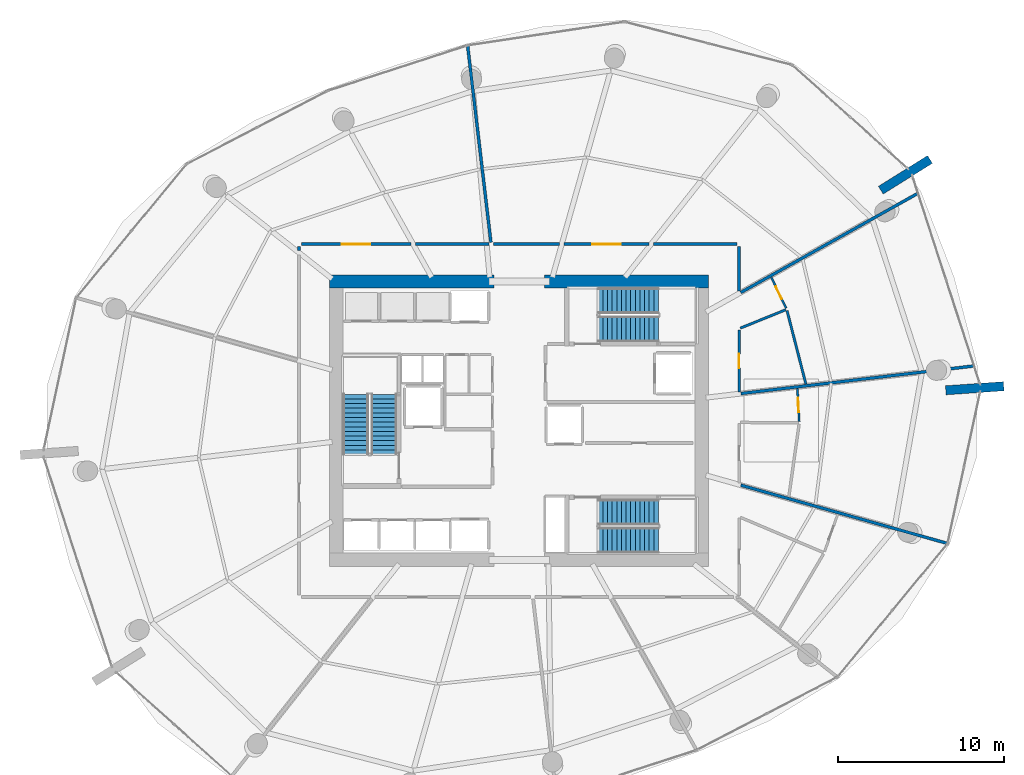
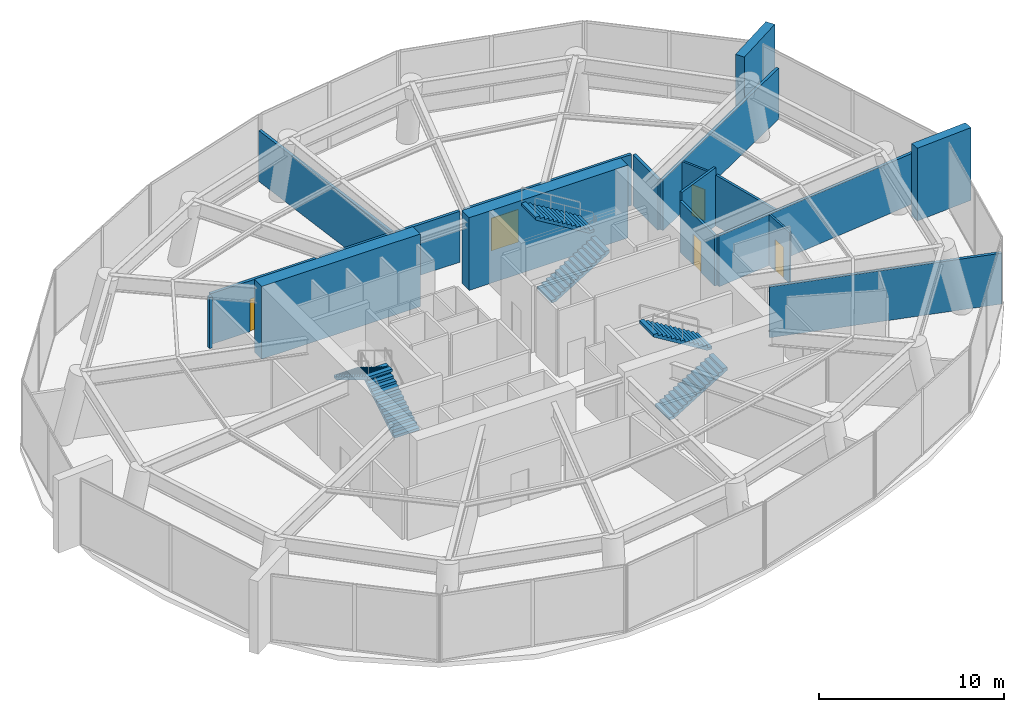
# One storey, part 13 of 16: 20 walls, 6 stair flights, 5 doors, 5 openings, 3 elements without a shape of their own.
"""IFC4 building model written with IfcOpenShell, lengths in metres."""

from ifc_helpers import new_model, si_unit, direction, frame, frame_2d, origin, place, context, subcontext, project, spatial, polyline, rectangle, outline, extrude, material, layer, layer_set, type_object, element, fill, aggregate, save


model = new_model("IFC4")

# Units and contexts
model_context = context("Model", 3, precision=1e-05, world=origin(), true_north=direction((0.0, 1.0)))
body_context = subcontext(model_context, "Body", "Model", "MODEL_VIEW")
ifc_project = project(units=[si_unit("LENGTHUNIT", "METRE"), si_unit("AREAUNIT", "SQUARE_METRE"), si_unit("VOLUMEUNIT", "CUBIC_METRE"), si_unit("PLANEANGLEUNIT", "RADIAN"), si_unit("MASSUNIT", "GRAM", prefix="KILO")], contexts=[model_context])

# Site, building, storey
site_placement = place(None, origin())
site = spatial("IfcSite", under=ifc_project, at=site_placement, CompositionType="ELEMENT")
building_placement = place(site_placement, origin())
building = spatial("IfcBuilding", under=site, at=building_placement, Name="Kazma Halo Residences", CompositionType="ELEMENT")
storey_placement = place(building_placement, frame((0.0, 0.0, 123.0)))
storey = spatial("IfcBuildingStorey", under=building, at=storey_placement, Name="L30", CompositionType="ELEMENT", Elevation=123.0)

# Walls
ifc_material_1 = material(Name="Pale Concrete C60/75", Category="concrete")
ifc_layer_1 = layer(ifc_material_1, 0.550048828125)
ifc_layer_set_1 = layer_set([ifc_layer_1], Name="Pale Concrete C60/75")
wall_type_1 = type_object("IfcWallType", Name="WL-BLADE-550", PredefinedType="SOLIDWALL", material=ifc_layer_set_1)
for number, where, z_axis, x_axis, name in (
    (1, (70.249267578125, 55.90283203125, 0.0), (0.0, 0.0, 1.0), (0.848033572426, 0.529942506352, 0.0), "L30 pale concrete structural blade fin wall BW-01"),
    (2, (74.171875, 43.830078125, 0.0), (0.0, 0.0, 1.0), (0.997564163539, 0.069754853754, 0.0), "L30 pale concrete structural blade fin wall BW-04"),
):
    element("IfcWall", number, at=place(storey_placement, frame(where, z_axis=z_axis, x_axis=x_axis)), inside=storey, type_object=wall_type_1, Name=name, PredefinedType="SOLIDWALL", context=body_context, shape_type="SweptSolid", body=[
        extrude(rectangle(XDim=3.5, YDim=0.550048828125, at=frame_2d((1.75, 0.0))), origin(), (0.0, 0.0, 1.0), 4.800048828125),
    ])
ifc_material_2 = material(Name="Concrete C80/95", Category="concrete")
ifc_layer_2 = layer(ifc_material_2, 0.800048828125)
ifc_layer_set_2 = layer_set([ifc_layer_2], Name="Concrete C80/95")
wall_type_2 = type_object("IfcWallType", Name="WL-CORE-800", PredefinedType="SHEAR", material=ifc_layer_set_2)
wall_1_placement = place(storey_placement, frame((37.0, 50.39990234375, 0.0), z_axis=(0.0, 0.0, 1.0), x_axis=(1.0, 0.0, 0.0)))
element("IfcWall", 3, at=wall_1_placement, inside=storey, type_object=wall_type_2, Name="L30 central core shear wall NW", PredefinedType="SHEAR", context=body_context, shape_type="SweptSolid", body=[
    extrude(rectangle(XDim=9.89990234375, YDim=0.800048828125, at=frame_2d((4.949951171875, 0.0))), origin(), (0.0, 0.0, 1.0), 4.800048828125),
])
wall_2_placement = place(storey_placement, frame((49.949951171875, 50.39990234375, 0.0), z_axis=(0.0, 0.0, 1.0), x_axis=(1.0, 0.0, 0.0)))
element("IfcWall", 4, at=wall_2_placement, inside=storey, type_object=wall_type_2, Name="L30 central core shear wall NE", PredefinedType="SHEAR", context=body_context, shape_type="SweptSolid", body=[
    extrude(rectangle(XDim=9.900146484375, YDim=0.800048828125, at=frame_2d((4.9501953125, 0.0))), origin(), (0.0, 0.0, 1.0), 4.800048828125),
])
ifc_material_3 = material(Name="Acoustic Twin-Stud Gypsum")
ifc_layer_3 = layer(ifc_material_3, 0.179931640625)
ifc_layer_set_3 = layer_set([ifc_layer_3], Name="Acoustic Twin-Stud Gypsum")
wall_type_3 = type_object("IfcWallType", Name="WL-DEM-180", PredefinedType="PARTITIONING", material=ifc_layer_set_3)
wall_3_placement = place(storey_placement, frame((61.699951171875, 49.8125, 0.0), z_axis=(0.0, 0.0, 1.0), x_axis=(0.0, 1.0, 0.0)))
element("IfcWall", 5, at=wall_3_placement, inside=storey, type_object=wall_type_3, Name="L30 Lower Sky Lobby Concourse corridor wall", PredefinedType="PARTITIONING", context=body_context, shape_type="SweptSolid", body=[
    extrude(rectangle(XDim=2.697509765625, YDim=0.179931640625, at=frame_2d((1.3486328125, 0.0))), origin(), (0.0, 0.0, 1.0), 3.35693359375),
])
wall_4_placement = place(storey_placement, frame((61.56005859375, 52.64990234375, 0.0), z_axis=(0.0, 0.0, 1.0), x_axis=(-1.0, 0.0, 0.0)))
element("IfcWall", 6, at=wall_4_placement, inside=storey, type_object=wall_type_3, Name="L30 Lower Sky Lobby Concourse corridor wall", PredefinedType="PARTITIONING", context=body_context, shape_type="SweptSolid", body=[
    extrude(rectangle(XDim=5.024169921875, YDim=0.179931640625, at=frame_2d((2.51220703125, 0.0))), origin(), (0.0, 0.0, 1.0), 3.35693359375),
])

# Wall, opening, door
wall_5_placement = place(storey_placement, frame((56.255859375, 52.64990234375, 0.0), z_axis=(0.0, 0.0, 1.0), x_axis=(-1.0, 0.0, 0.0)))
wall_5 = element("IfcWall", 7, at=wall_5_placement, inside=storey, type_object=wall_type_3, Name="L30 Lower Sky Lobby Concourse corridor wall", PredefinedType="PARTITIONING", context=body_context, shape_type="SweptSolid", body=[
    extrude(rectangle(XDim=5.1123046875, YDim=0.179931640625, at=frame_2d((2.55615234375, 0.0))), origin(), (0.0, 0.0, 1.0), 3.35693359375),
])
opening_1_placement = place(wall_5_placement, frame((1.7060546875, 0.0, 0.0)))
opening_1 = element("IfcOpeningElement", 8, at=opening_1_placement, cuts=wall_5, Name="Opening DL-1800", PredefinedType="OPENING", context=body_context, shape_type="SweptSolid", body=[
    extrude(rectangle(XDim=1.699951171875, YDim=2.14990234375, at=frame_2d((0.85009765625, 1.074951171875))), frame((0.0, 0.099853515625, 0.0), z_axis=(0.0, -1.0, 0.0), x_axis=(1.0, 0.0, 0.0)), (0.0, 0.0, 1.0), 0.199951171875),
])
ifc_material_4 = material(Name="Glazed Aluminium Double Leaf", Category="aluminium")
door_type_1 = type_object("IfcDoorType", Name="DR-LGE-1800", OperationType="NOTDEFINED", PredefinedType="DOOR", material=ifc_material_4)
door_1_placement = place(opening_1_placement, origin())
door_1 = element("IfcDoor", 9, at=door_1_placement, inside=storey, type_object=door_type_1, Name="L30 Lower Sky Lobby Concourse entrance door", OperationType="DOUBLE_DOOR_SINGLE_SWING", OverallHeight=2.14990234375, OverallWidth=1.699951171875, PredefinedType="DOOR", context=body_context, shape_type="SweptSolid", body=[
    extrude(rectangle(XDim=1.699951171875, YDim=2.14990234375, at=frame_2d((0.85009765625, 1.074951171875))), frame((0.0, 0.02490234375, 0.0), z_axis=(0.0, -1.0, 0.0), x_axis=(1.0, 0.0, 0.0)), (0.0, 0.0, 1.0), 0.050048828125),
])
fill(opening_1, door_1)

# Walls
wall_6_placement = place(storey_placement, frame((50.863525390625, 52.64990234375, 0.0), z_axis=(0.0, 0.0, 1.0), x_axis=(-1.0, 0.0, 0.0)))
element("IfcWall", 10, at=wall_6_placement, inside=storey, type_object=wall_type_3, Name="L30 Lower Sky Lobby Concourse corridor wall", PredefinedType="PARTITIONING", context=body_context, shape_type="SweptSolid", body=[
    extrude(rectangle(XDim=3.984130859375, YDim=0.179931640625, at=frame_2d((1.9921875, 0.0))), origin(), (0.0, 0.0, 1.0), 3.35693359375),
])
wall_7_placement = place(storey_placement, frame((61.7958984375, 49.72607421875, 0.0), z_axis=(0.0, 0.0, 1.0), x_axis=(0.872496493341, 0.488620373202, 0.0)))
element("IfcWall", 11, at=wall_7_placement, inside=storey, type_object=wall_type_3, Name="L30 radial partition wall 00", PredefinedType="PARTITIONING", context=body_context, shape_type="SweptSolid", body=[
    extrude(rectangle(XDim=12.241455078125, YDim=0.179931640625, at=frame_2d((6.12060546875, 0.0))), origin(), (0.0, 0.0, 1.0), 3.35693359375),
])
wall_8_placement = place(storey_placement, frame((46.7265625, 52.75927734375, 0.0), z_axis=(0.0, 0.0, 1.0), x_axis=(-0.117528707393, 0.993069485453, 0.0)))
element("IfcWall", 12, at=wall_8_placement, inside=storey, type_object=wall_type_3, Name="L30 radial partition wall 03", PredefinedType="PARTITIONING", context=body_context, shape_type="SweptSolid", body=[
    extrude(rectangle(XDim=11.929931640625, YDim=0.179931640625, at=frame_2d((5.96484375, 0.0))), origin(), (0.0, 0.0, 1.0), 3.35693359375),
])
wall_9_placement = place(storey_placement, frame((46.599609375, 52.64990234375, 0.0), z_axis=(0.0, 0.0, 1.0), x_axis=(-1.0, 0.0, 0.0)))
element("IfcWall", 13, at=wall_9_placement, inside=storey, type_object=wall_type_3, Name="L30 Arabian Gulf Sky Lounge corridor wall", PredefinedType="PARTITIONING", context=body_context, shape_type="SweptSolid", body=[
    extrude(rectangle(XDim=4.423828125, YDim=0.179931640625, at=frame_2d((2.2119140625, 0.0))), origin(), (0.0, 0.0, 1.0), 3.35693359375),
])

# Wall, opening, door
wall_10_placement = place(storey_placement, frame((41.895751953125, 52.64990234375, 0.0), z_axis=(0.0, 0.0, 1.0), x_axis=(-1.0, 0.0, 0.0)))
wall_10 = element("IfcWall", 14, at=wall_10_placement, inside=storey, type_object=wall_type_3, Name="L30 Arabian Gulf Sky Lounge corridor wall", PredefinedType="PARTITIONING", context=body_context, shape_type="SweptSolid", body=[
    extrude(rectangle(XDim=6.605712890625, YDim=0.179931640625, at=frame_2d((3.302734375, 0.0))), origin(), (0.0, 0.0, 1.0), 3.35693359375),
])
opening_2_placement = place(wall_10_placement, frame((2.452880859375, 0.0, 0.0)))
opening_2 = element("IfcOpeningElement", 15, at=opening_2_placement, cuts=wall_10, Name="Opening DL-1800", PredefinedType="OPENING", context=body_context, shape_type="SweptSolid", body=[
    extrude(rectangle(XDim=1.699951171875, YDim=2.14990234375, at=frame_2d((0.85009765625, 1.074951171875))), frame((0.0, 0.099853515625, 0.0), z_axis=(0.0, -1.0, 0.0), x_axis=(1.0, 0.0, 0.0)), (0.0, 0.0, 1.0), 0.199951171875),
])
door_2_placement = place(opening_2_placement, origin())
door_2 = element("IfcDoor", 16, at=door_2_placement, inside=storey, type_object=door_type_1, Name="L30 Arabian Gulf Sky Lounge entrance door", OperationType="DOUBLE_DOOR_SINGLE_SWING", OverallHeight=2.14990234375, OverallWidth=1.699951171875, PredefinedType="DOOR", context=body_context, shape_type="SweptSolid", body=[
    extrude(rectangle(XDim=1.699951171875, YDim=2.14990234375, at=frame_2d((0.85009765625, 1.074951171875))), frame((0.0, 0.02490234375, 0.0), z_axis=(0.0, -1.0, 0.0), x_axis=(1.0, 0.0, 0.0)), (0.0, 0.0, 1.0), 0.050048828125),
])
fill(opening_2, door_2)

# Walls
wall_11_placement = place(storey_placement, frame((35.14990234375, 52.510009765625, 0.0), z_axis=(0.0, 0.0, 1.0), x_axis=(0.0, -1.0, 0.0)))
element("IfcWall", 17, at=wall_11_placement, inside=storey, type_object=wall_type_3, Name="L30 Arabian Gulf Sky Lounge corridor wall", PredefinedType="PARTITIONING", context=body_context, shape_type="SweptSolid", body=[
    extrude(rectangle(XDim=0.239990234375, YDim=0.179931640625, at=frame_2d((0.1201171875, 0.0))), origin(), (0.0, 0.0, 1.0), 3.35693359375),
])
wall_12_placement = place(storey_placement, frame((61.805908203125, 38.106201171875, 0.0), z_axis=(0.0, 0.0, 1.0), x_axis=(0.962458144132, -0.271430139803, 0.0)))
element("IfcWall", 18, at=wall_12_placement, inside=storey, type_object=wall_type_3, Name="L30 radial partition wall 14", PredefinedType="PARTITIONING", context=body_context, shape_type="SweptSolid", body=[
    extrude(rectangle(XDim=12.939697265625, YDim=0.179931640625, at=frame_2d((6.4697265625, 0.0))), origin(), (0.0, 0.0, 1.0), 3.35693359375),
])
wall_13_placement = place(storey_placement, frame((61.80908203125, 43.634521484375, 0.0), z_axis=(0.0, 0.0, 1.0), x_axis=(0.993069208245, 0.117531049668, 0.0)))
element("IfcWall", 19, at=wall_13_placement, inside=storey, type_object=wall_type_3, Name="L30 radial partition wall 15", PredefinedType="PARTITIONING", context=body_context, shape_type="SweptSolid", body=[
    extrude(rectangle(XDim=14.148193359375, YDim=0.179931640625, at=frame_2d((7.07421875, 0.0))), origin(), (0.0, 0.0, 1.0), 3.35693359375),
])

# Wall, opening, door
ifc_material_5 = material(Name="Gypsum Plasterboard Partition")
ifc_layer_4 = layer(ifc_material_5, 0.125)
ifc_layer_set_4 = layer_set([ifc_layer_4], Name="Gypsum Plasterboard Partition")
wall_type_4 = type_object("IfcWallType", Name="WL-PART-125", PredefinedType="PARTITIONING", material=ifc_layer_set_4)
wall_14_placement = place(storey_placement, frame((65.3291015625, 41.94384765625, 0.0), z_axis=(0.0, 0.0, 1.0), x_axis=(-0.055023057536, 0.998485084085, 0.0)))
wall_14 = element("IfcWall", 20, at=wall_14_placement, inside=storey, type_object=wall_type_4, Name="L30 supply store wall", PredefinedType="PARTITIONING", context=body_context, shape_type="SweptSolid", body=[
    extrude(rectangle(XDim=1.99658203125, YDim=0.125, at=frame_2d((0.998291015625, 0.0))), origin(), (0.0, 0.0, 1.0), 3.35693359375),
])
opening_3_placement = place(wall_14_placement, frame((0.573486328125, 0.0, 0.0)))
opening_3 = element("IfcOpeningElement", 21, at=opening_3_placement, cuts=wall_14, Name="Opening DS-850", PredefinedType="OPENING", context=body_context, shape_type="SweptSolid", body=[
    extrude(rectangle(XDim=0.85009765625, YDim=2.06005859375, at=frame_2d((0.425048828125, 1.030029296875))), frame((0.0, 0.072509765625, 0.0), z_axis=(0.0, -1.0, 0.0), x_axis=(1.0, 0.0, 0.0)), (0.0, 0.0, 1.0), 0.14501953125),
])
ifc_material_6 = material(Name="Painted Steel Access Leaf", Category="steel")
door_type_2 = type_object("IfcDoorType", Name="DR-SVC-850", OperationType="NOTDEFINED", PredefinedType="DOOR", material=ifc_material_6)
door_3_placement = place(opening_3_placement, origin())
door_3 = element("IfcDoor", 22, at=door_3_placement, inside=storey, type_object=door_type_2, Name="L30 supply store door", OperationType="SINGLE_SWING_RIGHT", OverallHeight=2.06005859375, OverallWidth=0.85009765625, PredefinedType="DOOR", context=body_context, shape_type="SweptSolid", body=[
    extrude(rectangle(XDim=0.85009765625, YDim=2.06005859375, at=frame_2d((0.425048828125, 1.030029296875))), frame((0.0, 0.02490234375, 0.0), z_axis=(0.0, -1.0, 0.0), x_axis=(1.0, 0.0, 0.0)), (0.0, 0.0, 1.0), 0.050048828125),
])
fill(opening_3, door_3)

wall_15_placement = place(storey_placement, frame((64.53857421875, 48.784912109375, 0.0), z_axis=(0.0, 0.0, 1.0), x_axis=(-0.432927014737, 0.901428976631, 0.0)))
wall_15 = element("IfcWall", 23, at=wall_15_placement, inside=storey, type_object=wall_type_4, Name="L30 supply store wall", PredefinedType="PARTITIONING", context=body_context, shape_type="SweptSolid", body=[
    extrude(rectangle(XDim=2.065673828125, YDim=0.125, at=frame_2d((1.03271484375, 0.0))), origin(), (0.0, 0.0, 1.0), 3.35693359375),
])
opening_4_placement = place(wall_15_placement, frame((0.60791015625, 0.0, 0.0)))
opening_4 = element("IfcOpeningElement", 24, at=opening_4_placement, cuts=wall_15, Name="Opening DS-850", PredefinedType="OPENING", context=body_context, shape_type="SweptSolid", body=[
    extrude(rectangle(XDim=0.85009765625, YDim=2.06005859375, at=frame_2d((0.425048828125, 1.030029296875))), frame((0.0, 0.072509765625, 0.0), z_axis=(0.0, -1.0, 0.0), x_axis=(1.0, 0.0, 0.0)), (0.0, 0.0, 1.0), 0.14501953125),
])
door_4_placement = place(opening_4_placement, origin())
door_4 = element("IfcDoor", 25, at=door_4_placement, inside=storey, type_object=door_type_2, Name="L30 supply store door", OperationType="SINGLE_SWING_LEFT", OverallHeight=2.06005859375, OverallWidth=0.85009765625, PredefinedType="DOOR", context=body_context, shape_type="SweptSolid", body=[
    extrude(rectangle(XDim=0.85009765625, YDim=2.06005859375, at=frame_2d((0.425048828125, 1.030029296875))), frame((0.0, 0.02490234375, 0.0), z_axis=(0.0, -1.0, 0.0), x_axis=(1.0, 0.0, 0.0)), (0.0, 0.0, 1.0), 0.050048828125),
])
fill(opening_4, door_4)

ifc_material_7 = material(Name="Moisture-Resistant Gypsum")
ifc_layer_5 = layer(ifc_material_7, 0.14990234375)
ifc_layer_set_5 = layer_set([ifc_layer_5], Name="Moisture-Resistant Gypsum")
wall_type_5 = type_object("IfcWallType", Name="WL-WET-150", PredefinedType="PARTITIONING", material=ifc_layer_set_5)
wall_16_placement = place(storey_placement, frame((61.699951171875, 43.721435546875, 0.0), z_axis=(0.0, 0.0, 1.0), x_axis=(0.0, 1.0, 0.0)))
wall_16 = element("IfcWall", 26, at=wall_16_placement, inside=storey, type_object=wall_type_5, Name="L30 Sky Lobby Accessible WC corridor wall", PredefinedType="PARTITIONING", context=body_context, shape_type="SweptSolid", body=[
    extrude(rectangle(XDim=3.74755859375, YDim=0.14990234375, at=frame_2d((1.873779296875, 0.0))), origin(), (0.0, 0.0, 1.0), 3.35693359375),
])
opening_5_placement = place(wall_16_placement, frame((1.44873046875, 0.0, 0.0)))
opening_5 = element("IfcOpeningElement", 27, at=opening_5_placement, cuts=wall_16, Name="Opening DB-900", PredefinedType="OPENING", context=body_context, shape_type="SweptSolid", body=[
    extrude(rectangle(XDim=0.85009765625, YDim=2.06005859375, at=frame_2d((0.425048828125, 1.030029296875))), frame((0.0, 0.0849609375, 0.0), z_axis=(0.0, -1.0, 0.0), x_axis=(1.0, 0.0, 0.0)), (0.0, 0.0, 1.0), 0.169921875),
])
ifc_material_8 = material(Name="Moisture-Sealed Timber Leaf", Category="wood")
door_type_3 = type_object("IfcDoorType", Name="DR-BTH-900", OperationType="NOTDEFINED", PredefinedType="DOOR", material=ifc_material_8)
door_5_placement = place(opening_5_placement, origin())
door_5 = element("IfcDoor", 28, at=door_5_placement, inside=storey, type_object=door_type_3, Name="L30 Sky Lobby Accessible WC door", OperationType="SINGLE_SWING_RIGHT", OverallHeight=2.06005859375, OverallWidth=0.85009765625, PredefinedType="DOOR", context=body_context, shape_type="SweptSolid", body=[
    extrude(rectangle(XDim=0.85009765625, YDim=2.06005859375, at=frame_2d((0.425048828125, 1.030029296875))), frame((0.0, 0.02490234375, 0.0), z_axis=(0.0, -1.0, 0.0), x_axis=(1.0, 0.0, 0.0)), (0.0, 0.0, 1.0), 0.050048828125),
])
fill(opening_5, door_5)

# Walls
wall_17_placement = place(storey_placement, frame((61.774169921875, 47.5791015625, 0.0), z_axis=(0.0, 0.0, 1.0), x_axis=(0.926869613272, 0.375383430631, 0.0)))
element("IfcWall", 29, at=wall_17_placement, inside=storey, type_object=wall_type_5, Name="L30 Sky Lobby Accessible WC side wall", PredefinedType="PARTITIONING", context=body_context, shape_type="SweptSolid", body=[
    extrude(rectangle(XDim=2.9599609375, YDim=0.14990234375, at=frame_2d((1.47998046875, 0.0))), origin(), (0.0, 0.0, 1.0), 3.840087890625),
])
wall_18_placement = place(storey_placement, frame((65.732177734375, 44.198486328125, 0.0), z_axis=(0.0, 0.0, 1.0), x_axis=(-0.248688220261, 0.968583589115, 0.0)))
element("IfcWall", 30, at=wall_18_placement, inside=storey, type_object=wall_type_5, Name="L30 Sky Lobby Accessible WC back wall", PredefinedType="PARTITIONING", context=body_context, shape_type="SweptSolid", body=[
    extrude(rectangle(XDim=4.58056640625, YDim=0.14990234375, at=frame_2d((2.290283203125, 0.0))), origin(), (0.0, 0.0, 1.0), 3.35693359375),
])

# Stair, stair flights
ifc_material_9 = material(Name="Concrete C50/60", Category="concrete")
stair_type = type_object("IfcStairType", Name="STR-POD", PredefinedType="HALF_TURN_STAIR", material=ifc_material_9)
stair_1_placement = place(storey_placement, origin())
stair_1 = element("IfcStair", 31, at=stair_1_placement, inside=storey, type_object=stair_type, Name="L30 Core exit stair ST-01", PredefinedType="HALF_TURN_STAIR")
stair_flight_type = type_object("IfcStairFlightType", Name="STR-POD-FLT", PredefinedType="STRAIGHT", material=ifc_material_9)
stair_flight_1_placement = place(storey_placement, frame((40.27490234375, 39.949951171875, 0.0), z_axis=(0.0, 0.0, 1.0), x_axis=(0.0, 1.0, 0.0)))
stair_flight_1 = element("IfcStairFlight", 32, at=stair_flight_1_placement, type_object=stair_flight_type, Name="ST-01 flight 1", NumberOfRisers=14, NumberOfTreads=13, PredefinedType="STRAIGHT", RiserHeight=0.171428571, TreadLength=0.28, context=body_context, shape_type="SweptSolid", body=[
    extrude(outline(polyline([(0.0, 0.0), (0.0, 0.17138671875), (0.280029296875, 0.17138671875), (0.280029296875, 0.3427734375), (0.56005859375, 0.3427734375), (0.56005859375, 0.514404296875), (0.840087890625, 0.514404296875), (0.840087890625, 0.685791015625), (1.1201171875, 0.685791015625), (1.1201171875, 0.857177734375), (1.39990234375, 0.857177734375), (1.39990234375, 1.028564453125), (1.679931640625, 1.028564453125), (1.679931640625, 1.199951171875), (1.9599609375, 1.199951171875), (1.9599609375, 1.371337890625), (2.239990234375, 1.371337890625), (2.239990234375, 1.54296875), (2.52001953125, 1.54296875), (2.52001953125, 1.71435546875), (2.800048828125, 1.71435546875), (2.800048828125, 1.8857421875), (3.080078125, 1.8857421875), (3.080078125, 2.05712890625), (3.360107421875, 2.05712890625), (3.360107421875, 2.228515625), (3.639892578125, 2.228515625), (3.639892578125, 2.39990234375), (3.639892578125, 2.052734375), (0.287109375, 0.0), (0.0, 0.0)])), frame((0.0, 0.77490234375, 0.0), z_axis=(0.0, -1.0, 0.0), x_axis=(1.0, 0.0, 0.0)), (0.0, 0.0, 1.0), 1.550048828125),
])
stair_flight_2_placement = place(storey_placement, frame((38.574951171875, 43.590087890625, 2.39990234375), z_axis=(0.0, 0.0, 1.0), x_axis=(0.0, -1.0, 0.0)))
stair_flight_2 = element("IfcStairFlight", 33, at=stair_flight_2_placement, type_object=stair_flight_type, Name="ST-01 flight 2", NumberOfRisers=14, NumberOfTreads=13, PredefinedType="STRAIGHT", RiserHeight=0.171428571, TreadLength=0.28, context=body_context, shape_type="SweptSolid", body=[
    extrude(outline(polyline([(0.0, 0.0), (0.0, 0.17138671875), (0.280029296875, 0.17138671875), (0.280029296875, 0.3427734375), (0.56005859375, 0.3427734375), (0.56005859375, 0.514404296875), (0.840087890625, 0.514404296875), (0.840087890625, 0.685791015625), (1.1201171875, 0.685791015625), (1.1201171875, 0.857177734375), (1.39990234375, 0.857177734375), (1.39990234375, 1.028564453125), (1.679931640625, 1.028564453125), (1.679931640625, 1.199951171875), (1.9599609375, 1.199951171875), (1.9599609375, 1.371337890625), (2.239990234375, 1.371337890625), (2.239990234375, 1.54296875), (2.52001953125, 1.54296875), (2.52001953125, 1.71435546875), (2.800048828125, 1.71435546875), (2.800048828125, 1.8857421875), (3.080078125, 1.8857421875), (3.080078125, 2.05712890625), (3.360107421875, 2.05712890625), (3.360107421875, 2.228515625), (3.639892578125, 2.228515625), (3.639892578125, 2.39990234375), (3.639892578125, 2.052734375), (0.287109375, 0.0), (0.0, 0.0)])), frame((0.0, 0.77490234375, 0.0), z_axis=(0.0, -1.0, 0.0), x_axis=(1.0, 0.0, 0.0)), (0.0, 0.0, 1.0), 1.550048828125),
])
aggregate(stair_1, [stair_flight_1, stair_flight_2])

stair_2_placement = place(storey_placement, origin())
stair_2 = element("IfcStair", 34, at=stair_2_placement, inside=storey, type_object=stair_type, Name="L30 Core exit stair ST-02", PredefinedType="HALF_TURN_STAIR")
stair_flight_3_placement = place(storey_placement, frame((53.199951171875, 47.52490234375, 0.0), z_axis=(0.0, 0.0, 1.0), x_axis=(1.0, 0.0, 0.0)))
stair_flight_3 = element("IfcStairFlight", 35, at=stair_flight_3_placement, type_object=stair_flight_type, Name="ST-02 flight 1", NumberOfRisers=14, NumberOfTreads=13, PredefinedType="STRAIGHT", RiserHeight=0.171428571, TreadLength=0.28, context=body_context, shape_type="SweptSolid", body=[
    extrude(outline(polyline([(0.0, 0.0), (0.0, 0.17138671875), (0.280029296875, 0.17138671875), (0.280029296875, 0.3427734375), (0.56005859375, 0.3427734375), (0.56005859375, 0.514404296875), (0.840087890625, 0.514404296875), (0.840087890625, 0.685791015625), (1.1201171875, 0.685791015625), (1.1201171875, 0.857177734375), (1.39990234375, 0.857177734375), (1.39990234375, 1.028564453125), (1.679931640625, 1.028564453125), (1.679931640625, 1.199951171875), (1.9599609375, 1.199951171875), (1.9599609375, 1.371337890625), (2.239990234375, 1.371337890625), (2.239990234375, 1.54296875), (2.52001953125, 1.54296875), (2.52001953125, 1.71435546875), (2.800048828125, 1.71435546875), (2.800048828125, 1.8857421875), (3.080078125, 1.8857421875), (3.080078125, 2.05712890625), (3.360107421875, 2.05712890625), (3.360107421875, 2.228515625), (3.639892578125, 2.228515625), (3.639892578125, 2.39990234375), (3.639892578125, 2.052734375), (0.287109375, 0.0), (0.0, 0.0)])), frame((0.0, 0.77490234375, 0.0), z_axis=(0.0, -1.0, 0.0), x_axis=(1.0, 0.0, 0.0)), (0.0, 0.0, 1.0), 1.550048828125),
])
stair_flight_4_placement = place(storey_placement, frame((56.840087890625, 49.22509765625, 2.39990234375), z_axis=(0.0, 0.0, 1.0), x_axis=(-1.0, 0.0, 0.0)))
stair_flight_4 = element("IfcStairFlight", 36, at=stair_flight_4_placement, type_object=stair_flight_type, Name="ST-02 flight 2", NumberOfRisers=14, NumberOfTreads=13, PredefinedType="STRAIGHT", RiserHeight=0.171428571, TreadLength=0.28, context=body_context, shape_type="SweptSolid", body=[
    extrude(outline(polyline([(0.0, 0.0), (0.0, 0.17138671875), (0.280029296875, 0.17138671875), (0.280029296875, 0.3427734375), (0.56005859375, 0.3427734375), (0.56005859375, 0.514404296875), (0.840087890625, 0.514404296875), (0.840087890625, 0.685791015625), (1.1201171875, 0.685791015625), (1.1201171875, 0.857177734375), (1.39990234375, 0.857177734375), (1.39990234375, 1.028564453125), (1.679931640625, 1.028564453125), (1.679931640625, 1.199951171875), (1.9599609375, 1.199951171875), (1.9599609375, 1.371337890625), (2.239990234375, 1.371337890625), (2.239990234375, 1.54296875), (2.52001953125, 1.54296875), (2.52001953125, 1.71435546875), (2.800048828125, 1.71435546875), (2.800048828125, 1.8857421875), (3.080078125, 1.8857421875), (3.080078125, 2.05712890625), (3.360107421875, 2.05712890625), (3.360107421875, 2.228515625), (3.639892578125, 2.228515625), (3.639892578125, 2.39990234375), (3.639892578125, 2.052734375), (0.287109375, 0.0), (0.0, 0.0)])), frame((0.0, 0.77490234375, 0.0), z_axis=(0.0, -1.0, 0.0), x_axis=(1.0, 0.0, 0.0)), (0.0, 0.0, 1.0), 1.550048828125),
])
aggregate(stair_2, [stair_flight_3, stair_flight_4])

stair_3_placement = place(storey_placement, origin())
stair_3 = element("IfcStair", 37, at=stair_3_placement, inside=storey, type_object=stair_type, Name="L30 Core exit stair ST-03", PredefinedType="HALF_TURN_STAIR")
stair_flight_5_placement = place(storey_placement, frame((53.199951171875, 34.77490234375, 0.0), z_axis=(0.0, 0.0, 1.0), x_axis=(1.0, 0.0, 0.0)))
stair_flight_5 = element("IfcStairFlight", 38, at=stair_flight_5_placement, type_object=stair_flight_type, Name="ST-03 flight 1", NumberOfRisers=14, NumberOfTreads=13, PredefinedType="STRAIGHT", RiserHeight=0.171428571, TreadLength=0.28, context=body_context, shape_type="SweptSolid", body=[
    extrude(outline(polyline([(0.0, 0.0), (0.0, 0.17138671875), (0.280029296875, 0.17138671875), (0.280029296875, 0.3427734375), (0.56005859375, 0.3427734375), (0.56005859375, 0.514404296875), (0.840087890625, 0.514404296875), (0.840087890625, 0.685791015625), (1.1201171875, 0.685791015625), (1.1201171875, 0.857177734375), (1.39990234375, 0.857177734375), (1.39990234375, 1.028564453125), (1.679931640625, 1.028564453125), (1.679931640625, 1.199951171875), (1.9599609375, 1.199951171875), (1.9599609375, 1.371337890625), (2.239990234375, 1.371337890625), (2.239990234375, 1.54296875), (2.52001953125, 1.54296875), (2.52001953125, 1.71435546875), (2.800048828125, 1.71435546875), (2.800048828125, 1.8857421875), (3.080078125, 1.8857421875), (3.080078125, 2.05712890625), (3.360107421875, 2.05712890625), (3.360107421875, 2.228515625), (3.639892578125, 2.228515625), (3.639892578125, 2.39990234375), (3.639892578125, 2.052734375), (0.287109375, 0.0), (0.0, 0.0)])), frame((0.0, 0.77490234375, 0.0), z_axis=(0.0, -1.0, 0.0), x_axis=(1.0, 0.0, 0.0)), (0.0, 0.0, 1.0), 1.550048828125),
])
stair_flight_6_placement = place(storey_placement, frame((56.840087890625, 36.47509765625, 2.39990234375), z_axis=(0.0, 0.0, 1.0), x_axis=(-1.0, 0.0, 0.0)))
stair_flight_6 = element("IfcStairFlight", 39, at=stair_flight_6_placement, type_object=stair_flight_type, Name="ST-03 flight 2", NumberOfRisers=14, NumberOfTreads=13, PredefinedType="STRAIGHT", RiserHeight=0.171428571, TreadLength=0.28, context=body_context, shape_type="SweptSolid", body=[
    extrude(outline(polyline([(0.0, 0.0), (0.0, 0.17138671875), (0.280029296875, 0.17138671875), (0.280029296875, 0.3427734375), (0.56005859375, 0.3427734375), (0.56005859375, 0.514404296875), (0.840087890625, 0.514404296875), (0.840087890625, 0.685791015625), (1.1201171875, 0.685791015625), (1.1201171875, 0.857177734375), (1.39990234375, 0.857177734375), (1.39990234375, 1.028564453125), (1.679931640625, 1.028564453125), (1.679931640625, 1.199951171875), (1.9599609375, 1.199951171875), (1.9599609375, 1.371337890625), (2.239990234375, 1.371337890625), (2.239990234375, 1.54296875), (2.52001953125, 1.54296875), (2.52001953125, 1.71435546875), (2.800048828125, 1.71435546875), (2.800048828125, 1.8857421875), (3.080078125, 1.8857421875), (3.080078125, 2.05712890625), (3.360107421875, 2.05712890625), (3.360107421875, 2.228515625), (3.639892578125, 2.228515625), (3.639892578125, 2.39990234375), (3.639892578125, 2.052734375), (0.287109375, 0.0), (0.0, 0.0)])), frame((0.0, 0.77490234375, 0.0), z_axis=(0.0, -1.0, 0.0), x_axis=(1.0, 0.0, 0.0)), (0.0, 0.0, 1.0), 1.550048828125),
])
aggregate(stair_3, [stair_flight_5, stair_flight_6])

save(model, "model.ifc")
